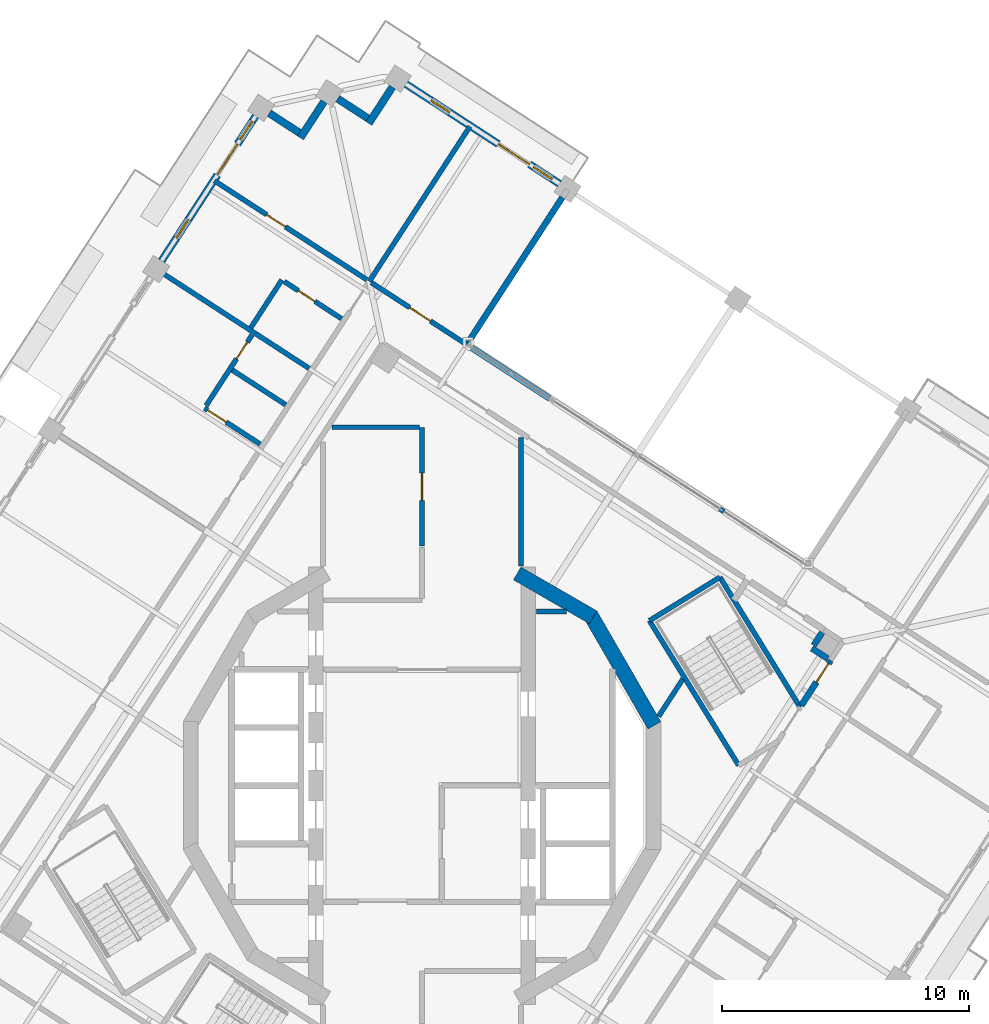
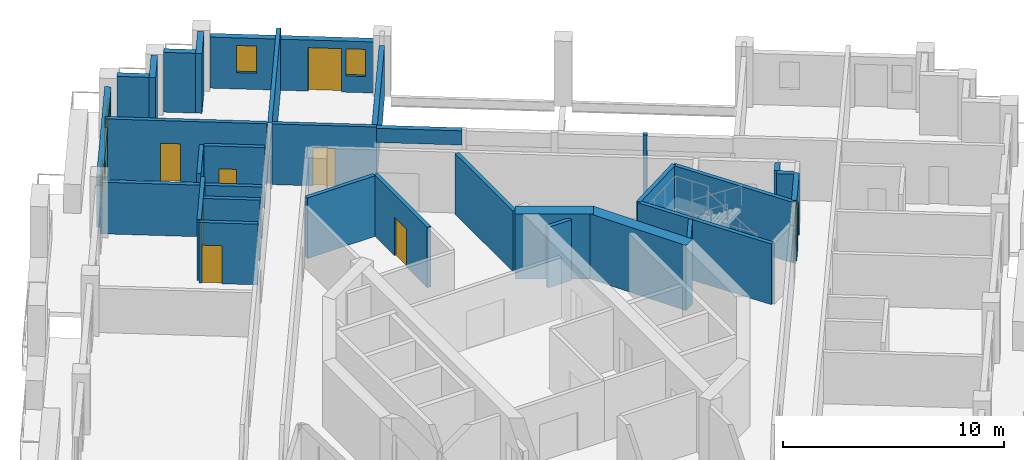
# One storey, part 10 of 17: 31 walls, 9 doors, 4 windows, 13 openings.
"""IFC4 building model written with IfcOpenShell, lengths in metres."""

from ifc_helpers import new_model, si_unit, direction, frame, frame_2d, origin, place, context, subcontext, project, spatial, rectangle, extrude, material, layer, layer_set, type_object, element, fill, save


model = new_model("IFC4")

# Units and contexts
model_context = context("Model", 3, precision=1e-05, world=origin(), true_north=direction((0.0, 1.0)))
body_context = subcontext(model_context, "Body", "Model", "MODEL_VIEW")
ifc_project = project(units=[si_unit("LENGTHUNIT", "METRE"), si_unit("AREAUNIT", "SQUARE_METRE"), si_unit("VOLUMEUNIT", "CUBIC_METRE"), si_unit("PLANEANGLEUNIT", "RADIAN"), si_unit("MASSUNIT", "GRAM", prefix="KILO")], contexts=[model_context])

# Site, building, storey
site_placement = place(None, origin())
site = spatial("IfcSite", under=ifc_project, at=site_placement, CompositionType="ELEMENT")
building_placement = place(site_placement, origin())
building = spatial("IfcBuilding", under=site, at=building_placement, Name="Cantera Rosa Tower", CompositionType="ELEMENT")
storey_placement = place(building_placement, frame((0.0, 0.0, 279.300048828125)))
storey = spatial("IfcBuildingStorey", under=building, at=storey_placement, Name="L63", CompositionType="ELEMENT", Elevation=279.300048828125)

# Wall, opening, door
ifc_material_1 = material(Name="Gypsum board partition")
ifc_layer_1 = layer(ifc_material_1, 0.199951171875)
ifc_layer_set_1 = layer_set([ifc_layer_1], Name="CORRIDOR WALL 200 H3350")
wall_type_1 = type_object("IfcWallType", Name="CORRIDOR WALL 200 H3350", PredefinedType="PARTITIONING", material=ifc_layer_set_1)
wall_1_placement = place(storey_placement, frame((0.0, 9.689208984375, 0.0), z_axis=(0.0, 0.0, 1.0), x_axis=(0.0, 1.0, 0.0)))
wall_1 = element("IfcWall", 1, at=wall_1_placement, inside=storey, type_object=wall_type_1, Name="CORRIDOR WALL L63-058", PredefinedType="PARTITIONING", context=body_context, shape_type="SweptSolid", body=[
    extrude(rectangle(XDim=4.810791015625, YDim=0.199951171875, at=frame_2d((2.4052734375, 0.0))), origin(), (0.0, 0.0, 1.0), 3.349853515625),
])
opening_1_placement = place(wall_1_placement, frame((1.85546875, 0.0, 0.0)))
opening_1 = element("IfcOpeningElement", 2, at=opening_1_placement, cuts=wall_1, Name="Opening L63-013", PredefinedType="OPENING", context=body_context, shape_type="SweptSolid", body=[
    extrude(rectangle(XDim=1.10009765625, YDim=2.10009765625, at=frame_2d((0.550048828125, 1.050048828125))), frame((0.0, 0.10986328125, 0.0), z_axis=(0.0, -1.0, 0.0), x_axis=(1.0, 0.0, 0.0)), (0.0, 0.0, 1.0), 0.219970703125),
])
ifc_material_2 = material(Name="Timber door leaf", Category="wood")
door_type_1 = type_object("IfcDoorType", Name="ROOM DOOR 1100x2100", OperationType="NOTDEFINED", PredefinedType="DOOR", material=ifc_material_2)
door_1_placement = place(opening_1_placement, origin())
door_1 = element("IfcDoor", 3, at=door_1_placement, inside=storey, type_object=door_type_1, Name="DOOR L63-013", OperationType="NOTDEFINED", OverallHeight=2.10009765625, OverallWidth=1.10009765625, PredefinedType="DOOR", context=body_context, shape_type="SweptSolid", body=[
    extrude(rectangle(XDim=1.10009765625, YDim=2.10009765625, at=frame_2d((0.550048828125, 1.050048828125))), frame((0.0, 0.02490234375, 0.0), z_axis=(0.0, -1.0, 0.0), x_axis=(1.0, 0.0, 0.0)), (0.0, 0.0, 1.0), 0.050048828125),
])
fill(opening_1, door_1)

# Walls
wall_2_placement = place(storey_placement, frame((-0.10009765625, 14.5, 0.0), z_axis=(0.0, 0.0, 1.0), x_axis=(-1.0, 0.0, 0.0)))
element("IfcWall", 4, at=wall_2_placement, inside=storey, type_object=wall_type_1, Name="CORRIDOR WALL L63-059", PredefinedType="PARTITIONING", context=body_context, shape_type="SweptSolid", body=[
    extrude(rectangle(XDim=3.538818359375, YDim=0.199951171875, at=frame_2d((1.76953125, 0.0))), origin(), (0.0, 0.0, 1.0), 3.349853515625),
])
wall_3_placement = place(storey_placement, frame((4.0, 8.87890625, 0.0), z_axis=(0.0, 0.0, 1.0), x_axis=(0.0, 1.0, 0.0)))
element("IfcWall", 5, at=wall_3_placement, inside=storey, type_object=wall_type_1, Name="CORRIDOR WALL L63-069", PredefinedType="PARTITIONING", context=body_context, shape_type="SweptSolid", body=[
    extrude(rectangle(XDim=5.21533203125, YDim=0.199951171875, at=frame_2d((2.607666015625, 0.0))), origin(), (0.0, 0.0, 1.0), 3.349853515625),
])
wall_4_placement = place(storey_placement, frame((12.206787109375, 11.0908203125, 0.0), z_axis=(0.0, 0.0, 1.0), x_axis=(-0.838386090036, 0.545076842321, 0.0)))
element("IfcWall", 6, at=wall_4_placement, inside=storey, type_object=wall_type_1, Name="CORRIDOR WALL L63-104", PredefinedType="PARTITIONING", context=body_context, shape_type="SweptSolid", body=[
    extrude(rectangle(XDim=0.19384765625, YDim=0.199951171875, at=frame_2d((0.096923828125, 0.0))), origin(), (0.0, 0.0, 1.0), 3.349853515625),
])

# Wall, opening, door
wall_5_placement = place(storey_placement, frame((1.914794921875, 17.77490234375, 0.0), z_axis=(0.0, 0.0, 1.0), x_axis=(-0.838698511903, 0.544596002677, 0.0)))
wall_5 = element("IfcWall", 7, at=wall_5_placement, inside=storey, type_object=wall_type_1, Name="CORRIDOR WALL L63-107", PredefinedType="PARTITIONING", context=body_context, shape_type="SweptSolid", body=[
    extrude(rectangle(XDim=4.72509765625, YDim=0.199951171875, at=frame_2d((2.362548828125, 0.0))), origin(), (0.0, 0.0, 1.0), 3.349853515625),
])
opening_2_placement = place(wall_5_placement, frame((1.875, 0.0, 0.0)))
opening_2 = element("IfcOpeningElement", 8, at=opening_2_placement, cuts=wall_5, Name="Opening L63-021", PredefinedType="OPENING", context=body_context, shape_type="SweptSolid", body=[
    extrude(rectangle(XDim=1.0, YDim=2.10009765625, at=frame_2d((0.5, 1.050048828125))), frame((0.0, 0.10986328125, 0.0), z_axis=(0.0, -1.0, 0.0), x_axis=(1.0, 0.0, 0.0)), (0.0, 0.0, 1.0), 0.219970703125),
])
ifc_material_3 = material(Name="Timber door leaf", Category="wood")
door_type_2 = type_object("IfcDoorType", Name="ROOM DOOR 1000x2100", OperationType="NOTDEFINED", PredefinedType="DOOR", material=ifc_material_3)
door_2_placement = place(opening_2_placement, origin())
door_2 = element("IfcDoor", 9, at=door_2_placement, inside=storey, type_object=door_type_2, Name="DOOR L63-021", OperationType="NOTDEFINED", OverallHeight=2.10009765625, OverallWidth=1.0, PredefinedType="DOOR", context=body_context, shape_type="SweptSolid", body=[
    extrude(rectangle(XDim=1.0, YDim=2.10009765625, at=frame_2d((0.5, 1.050048828125))), frame((0.0, 0.02490234375, 0.0), z_axis=(0.0, -1.0, 0.0), x_axis=(1.0, 0.0, 0.0)), (0.0, 0.0, 1.0), 0.050048828125),
])
fill(opening_2, door_2)

# Walls
ifc_material_4 = material(Name="Hollow clay masonry with cantera stone cladding", Category="masonry")
ifc_layer_2 = layer(ifc_material_4, 0.300048828125)
ifc_layer_set_2 = layer_set([ifc_layer_2], Name="EW-LOGGIA 300")
wall_type_2 = type_object("IfcWallType", Name="EW-LOGGIA 300", PredefinedType="SOLIDWALL", material=ifc_layer_set_2)
wall_6_placement = place(storey_placement, frame((-1.2001953125, 28.263427734375, 0.0), z_axis=(0.0, 0.0, 1.0), x_axis=(-0.54461563776, -0.838685761837, 0.0)))
element("IfcWall", 10, at=wall_6_placement, inside=storey, type_object=wall_type_2, Name="EN-L63-W05a", PredefinedType="SOLIDWALL", context=body_context, shape_type="SweptSolid", body=[
    extrude(rectangle(XDim=1.75, YDim=0.300048828125, at=frame_2d((0.875, 0.0))), origin(), (0.0, 0.0, 1.0), 3.300048828125),
])
wall_7_placement = place(storey_placement, frame((-2.197509765625, 27.003173828125, 0.0), z_axis=(0.0, 0.0, 1.0), x_axis=(-0.838647435384, 0.54467465438, 0.0)))
element("IfcWall", 11, at=wall_7_placement, inside=storey, type_object=wall_type_2, Name="EN-L63-W05b", PredefinedType="SOLIDWALL", context=body_context, shape_type="SweptSolid", body=[
    extrude(rectangle(XDim=1.449951171875, YDim=0.300048828125, at=frame_2d((0.72509765625, 0.0))), origin(), (0.0, 0.0, 1.0), 3.300048828125),
])
wall_8_placement = place(storey_placement, frame((-3.966796875, 27.67529296875, 0.0), z_axis=(0.0, 0.0, 1.0), x_axis=(-0.544679362749, -0.83864437743, 0.0)))
element("IfcWall", 12, at=wall_8_placement, inside=storey, type_object=wall_type_2, Name="EN-L63-W06a", PredefinedType="SOLIDWALL", context=body_context, shape_type="SweptSolid", body=[
    extrude(rectangle(XDim=1.75, YDim=0.300048828125, at=frame_2d((0.875, 0.0))), origin(), (0.0, 0.0, 1.0), 3.300048828125),
])
wall_9_placement = place(storey_placement, frame((-4.964111328125, 26.415283203125, 0.0), z_axis=(0.0, 0.0, 1.0), x_axis=(-0.838724343483, 0.544556218997, 0.0)))
element("IfcWall", 13, at=wall_9_placement, inside=storey, type_object=wall_type_2, Name="EN-L63-W06b", PredefinedType="SOLIDWALL", context=body_context, shape_type="SweptSolid", body=[
    extrude(rectangle(XDim=1.449951171875, YDim=0.300048828125, at=frame_2d((0.72509765625, 0.0))), origin(), (0.0, 0.0, 1.0), 3.300048828125),
])

# Wall, openings, windows, door
ifc_material_5 = material(Name="Hollow clay masonry with cantera stone cladding", Category="masonry")
ifc_layer_3 = layer(ifc_material_5, 0.300048828125)
ifc_layer_set_3 = layer_set([ifc_layer_3], Name="EW-LOGGIA 300 H2820")
wall_type_3 = type_object("IfcWallType", Name="EW-LOGGIA 300 H2820", PredefinedType="SOLIDWALL", material=ifc_layer_set_3)
wall_10_placement = place(storey_placement, frame((5.559326171875, 24.350830078125, 0.0), z_axis=(0.0, 0.0, 1.0), x_axis=(-0.838679465365, 0.544625333946, 0.0)))
wall_10 = element("IfcWall", 14, at=wall_10_placement, inside=storey, type_object=wall_type_3, Name="EN-L63-W04", PredefinedType="SOLIDWALL", context=body_context, shape_type="SweptSolid", body=[
    extrude(rectangle(XDim=7.400146484375, YDim=0.300048828125, at=frame_2d((3.7001953125, 0.0))), origin(), (0.0, 0.0, 1.0), 2.820068359375),
])
opening_3_placement = place(wall_10_placement, frame((0.35009765625, 0.0, 0.89990234375)))
opening_3 = element("IfcOpeningElement", 15, at=opening_3_placement, cuts=wall_10, Name="Opening L63-W04", PredefinedType="OPENING", context=body_context, shape_type="SweptSolid", body=[
    extrude(rectangle(XDim=0.89990234375, YDim=1.5, at=frame_2d((0.449951171875, 0.75))), frame((0.0, 0.159912109375, 0.0), z_axis=(0.0, -1.0, 0.0), x_axis=(1.0, 0.0, 0.0)), (0.0, 0.0, 1.0), 0.320068359375),
])
opening_4_placement = place(wall_10_placement, frame((1.449951171875, 0.0, 0.0)))
opening_4 = element("IfcOpeningElement", 16, at=opening_4_placement, cuts=wall_10, Name="Opening L63-TD05", PredefinedType="OPENING", context=body_context, shape_type="SweptSolid", body=[
    extrude(rectangle(XDim=1.5, YDim=2.39990234375, at=frame_2d((0.75, 1.199951171875))), frame((0.0, 0.159912109375, 0.0), z_axis=(0.0, -1.0, 0.0), x_axis=(1.0, 0.0, 0.0)), (0.0, 0.0, 1.0), 0.320068359375),
])
opening_5_placement = place(wall_10_placement, frame((5.300048828125, 0.0, 0.89990234375)))
opening_5 = element("IfcOpeningElement", 17, at=opening_5_placement, cuts=wall_10, Name="Opening L63-W06", PredefinedType="OPENING", context=body_context, shape_type="SweptSolid", body=[
    extrude(rectangle(XDim=0.89990234375, YDim=1.5, at=frame_2d((0.449951171875, 0.75))), frame((0.0, 0.159912109375, 0.0), z_axis=(0.0, -1.0, 0.0), x_axis=(1.0, 0.0, 0.0)), (0.0, 0.0, 1.0), 0.320068359375),
])
ifc_material_6 = material(Name="Aluminium frame with clear glass", Category="aluminium")
window_type = type_object("IfcWindowType", Name="Residential window 900x1500", PartitioningType="SINGLE_PANEL", PredefinedType="WINDOW", material=ifc_material_6)
window_1_placement = place(opening_3_placement, origin())
window_1 = element("IfcWindow", 18, at=window_1_placement, inside=storey, type_object=window_type, Name="WINDOW L63-W04", OverallHeight=1.5, OverallWidth=0.89990234375, PartitioningType="SINGLE_PANEL", PredefinedType="WINDOW", context=body_context, shape_type="SweptSolid", body=[
    extrude(rectangle(XDim=0.89990234375, YDim=1.5, at=frame_2d((0.449951171875, 0.75))), frame((0.0, 0.030029296875, 0.0), z_axis=(0.0, -1.0, 0.0), x_axis=(1.0, 0.0, 0.0)), (0.0, 0.0, 1.0), 0.06005859375),
])
fill(opening_3, window_1)
window_2_placement = place(opening_5_placement, origin())
window_2 = element("IfcWindow", 19, at=window_2_placement, inside=storey, type_object=window_type, Name="WINDOW L63-W06", OverallHeight=1.5, OverallWidth=0.89990234375, PartitioningType="SINGLE_PANEL", PredefinedType="WINDOW", context=body_context, shape_type="SweptSolid", body=[
    extrude(rectangle(XDim=0.89990234375, YDim=1.5, at=frame_2d((0.449951171875, 0.75))), frame((0.0, 0.030029296875, 0.0), z_axis=(0.0, -1.0, 0.0), x_axis=(1.0, 0.0, 0.0)), (0.0, 0.0, 1.0), 0.06005859375),
])
fill(opening_5, window_2)
ifc_material_7 = material(Name="Aluminium frame with clear glass", Category="aluminium")
door_type_3 = type_object("IfcDoorType", Name="TD-R 1500x2400", OperationType="NOTDEFINED", PredefinedType="DOOR", material=ifc_material_7)
door_3_placement = place(opening_4_placement, origin())
door_3 = element("IfcDoor", 20, at=door_3_placement, inside=storey, type_object=door_type_3, Name="LOGGIA DOOR L63-TD05", OperationType="SLIDING_TO_LEFT", OverallHeight=2.39990234375, OverallWidth=1.5, PredefinedType="DOOR", context=body_context, shape_type="SweptSolid", body=[
    extrude(rectangle(XDim=1.5, YDim=2.39990234375, at=frame_2d((0.75, 1.199951171875))), frame((0.0, 0.02490234375, 0.0), z_axis=(0.0, -1.0, 0.0), x_axis=(1.0, 0.0, 0.0)), (0.0, 0.0, 1.0), 0.050048828125),
])
fill(opening_4, door_3)

ifc_material_8 = material(Name="Hollow clay masonry with cantera stone cladding", Category="masonry")
ifc_layer_4 = layer(ifc_material_8, 0.300048828125)
ifc_layer_set_4 = layer_set([ifc_layer_4], Name="EW-LOGGIA 300 H2890")
wall_type_4 = type_object("IfcWallType", Name="EW-LOGGIA 300 H2890", PredefinedType="SOLIDWALL", material=ifc_layer_set_4)
wall_11_placement = place(storey_placement, frame((-6.7333984375, 27.08740234375, 0.0), z_axis=(0.0, 0.0, 1.0), x_axis=(-0.544651451949, -0.838662504164, 0.0)))
wall_11 = element("IfcWall", 21, at=wall_11_placement, inside=storey, type_object=wall_type_4, Name="EN-L63-W07", PredefinedType="SOLIDWALL", context=body_context, shape_type="SweptSolid", body=[
    extrude(rectangle(XDim=6.980224609375, YDim=0.300048828125, at=frame_2d((3.490234375, 0.0))), origin(), (0.0, 0.0, 1.0), 2.889892578125),
])
opening_6_placement = place(wall_11_placement, frame((0.2451171875, 0.0, 0.89990234375)))
opening_6 = element("IfcOpeningElement", 22, at=opening_6_placement, cuts=wall_11, Name="Opening L63-W07", PredefinedType="OPENING", context=body_context, shape_type="SweptSolid", body=[
    extrude(rectangle(XDim=0.89990234375, YDim=1.5, at=frame_2d((0.449951171875, 0.75))), frame((0.0, 0.159912109375, 0.0), z_axis=(0.0, -1.0, 0.0), x_axis=(1.0, 0.0, 0.0)), (0.0, 0.0, 1.0), 0.320068359375),
])
opening_7_placement = place(wall_11_placement, frame((1.344970703125, 0.0, 0.0)))
opening_7 = element("IfcOpeningElement", 23, at=opening_7_placement, cuts=wall_11, Name="Opening L63-TD08", PredefinedType="OPENING", context=body_context, shape_type="SweptSolid", body=[
    extrude(rectangle(XDim=1.5, YDim=2.39990234375, at=frame_2d((0.75, 1.199951171875))), frame((0.0, 0.159912109375, 0.0), z_axis=(0.0, -1.0, 0.0), x_axis=(1.0, 0.0, 0.0)), (0.0, 0.0, 1.0), 0.320068359375),
])
opening_8_placement = place(wall_11_placement, frame((4.985107421875, 0.0, 0.89990234375)))
opening_8 = element("IfcOpeningElement", 24, at=opening_8_placement, cuts=wall_11, Name="Opening L63-W09", PredefinedType="OPENING", context=body_context, shape_type="SweptSolid", body=[
    extrude(rectangle(XDim=0.89990234375, YDim=1.5, at=frame_2d((0.449951171875, 0.75))), frame((0.0, 0.159912109375, 0.0), z_axis=(0.0, -1.0, 0.0), x_axis=(1.0, 0.0, 0.0)), (0.0, 0.0, 1.0), 0.320068359375),
])
window_3_placement = place(opening_6_placement, origin())
window_3 = element("IfcWindow", 25, at=window_3_placement, inside=storey, type_object=window_type, Name="WINDOW L63-W07", OverallHeight=1.5, OverallWidth=0.89990234375, PartitioningType="SINGLE_PANEL", PredefinedType="WINDOW", context=body_context, shape_type="SweptSolid", body=[
    extrude(rectangle(XDim=0.89990234375, YDim=1.5, at=frame_2d((0.449951171875, 0.75))), frame((0.0, 0.030029296875, 0.0), z_axis=(0.0, -1.0, 0.0), x_axis=(1.0, 0.0, 0.0)), (0.0, 0.0, 1.0), 0.06005859375),
])
fill(opening_6, window_3)
window_4_placement = place(opening_8_placement, origin())
window_4 = element("IfcWindow", 26, at=window_4_placement, inside=storey, type_object=window_type, Name="WINDOW L63-W09", OverallHeight=1.5, OverallWidth=0.89990234375, PartitioningType="SINGLE_PANEL", PredefinedType="WINDOW", context=body_context, shape_type="SweptSolid", body=[
    extrude(rectangle(XDim=0.89990234375, YDim=1.5, at=frame_2d((0.449951171875, 0.75))), frame((0.0, 0.030029296875, 0.0), z_axis=(0.0, -1.0, 0.0), x_axis=(1.0, 0.0, 0.0)), (0.0, 0.0, 1.0), 0.06005859375),
])
fill(opening_8, window_4)
door_4_placement = place(opening_7_placement, origin())
door_4 = element("IfcDoor", 27, at=door_4_placement, inside=storey, type_object=door_type_3, Name="LOGGIA DOOR L63-TD08", OperationType="SLIDING_TO_LEFT", OverallHeight=2.39990234375, OverallWidth=1.5, PredefinedType="DOOR", context=body_context, shape_type="SweptSolid", body=[
    extrude(rectangle(XDim=1.5, YDim=2.39990234375, at=frame_2d((0.75, 1.199951171875))), frame((0.0, 0.02490234375, 0.0), z_axis=(0.0, -1.0, 0.0), x_axis=(1.0, 0.0, 0.0)), (0.0, 0.0, 1.0), 0.050048828125),
])
fill(opening_7, door_4)

# Walls
ifc_material_9 = material(Name="Concrete C40/50", Category="concrete")
ifc_layer_5 = layer(ifc_material_9, 0.25)
ifc_layer_set_5 = layer_set([ifc_layer_5], Name="EW-POCKET CHEEK 250 H2820")
wall_type_5 = type_object("IfcWallType", Name="EW-POCKET CHEEK 250 H2820", PredefinedType="SOLIDWALL", material=ifc_layer_set_5)
wall_12_placement = place(storey_placement, frame((5.6767578125, 23.79736328125, 0.0), z_axis=(0.0, 0.0, 1.0), x_axis=(-0.544647498784, -0.838665071449, 0.0)))
element("IfcWall", 28, at=wall_12_placement, inside=storey, type_object=wall_type_5, Name="POCKET CHEEK B L63", PredefinedType="SOLIDWALL", context=body_context, shape_type="SweptSolid", body=[
    extrude(rectangle(XDim=7.0, YDim=0.25, at=frame_2d((3.5, 0.0))), origin(), (0.0, 0.0, 1.0), 2.820068359375),
])
ifc_material_10 = material(Name="Hollow clay masonry with cantera stone cladding", Category="masonry")
ifc_layer_6 = layer(ifc_material_10, 0.25)
ifc_layer_set_6 = layer_set([ifc_layer_6], Name="EW-POCKET REAR 250")
wall_type_6 = type_object("IfcWallType", Name="EW-POCKET REAR 250", PredefinedType="SOLIDWALL", material=ifc_layer_set_6)
wall_13_placement = place(storey_placement, frame((5.1669921875, 15.66259765625, 2.515869140625), z_axis=(0.0, 0.0, 1.0), x_axis=(-0.838663624349, 0.544649727066, 0.0)))
element("IfcWall", 29, at=wall_13_placement, inside=storey, type_object=wall_type_6, Name="POCKET SPANDREL L63-4", PredefinedType="SOLIDWALL", context=body_context, shape_type="SweptSolid", body=[
    extrude(rectangle(XDim=3.8779296875, YDim=0.25, at=frame_2d((1.93896484375, 0.0))), origin(), (0.0, 0.0, 1.0), 0.7841796875),
])

# Wall, opening, door
ifc_material_11 = material(Name="Gypsum board partition")
ifc_layer_7 = layer(ifc_material_11, 0.199951171875)
ifc_layer_set_7 = layer_set([ifc_layer_7], Name="PARTITION 200 H3350")
wall_type_7 = type_object("IfcWallType", Name="PARTITION 200 H3350", PredefinedType="PARTITIONING", material=ifc_layer_set_7)
wall_14_placement = place(storey_placement, frame((-8.73388671875, 15.377685546875, 0.0), z_axis=(0.0, 0.0, 1.0), x_axis=(0.544681306178, 0.838643115217, 0.0)))
wall_14 = element("IfcWall", 30, at=wall_14_placement, inside=storey, type_object=wall_type_7, Name="PARTITION L63-022", PredefinedType="PARTITIONING", context=body_context, shape_type="SweptSolid", body=[
    extrude(rectangle(XDim=3.41015625, YDim=0.199951171875, at=frame_2d((1.705078125, 0.0))), origin(), (0.0, 0.0, 1.0), 3.349853515625),
])
opening_9_placement = place(wall_14_placement, frame((2.2548828125, 0.0, 0.0)))
opening_9 = element("IfcOpeningElement", 31, at=opening_9_placement, cuts=wall_14, Name="Opening L63-024", PredefinedType="OPENING", context=body_context, shape_type="SweptSolid", body=[
    extrude(rectangle(XDim=0.800048828125, YDim=2.10009765625, at=frame_2d((0.39990234375, 1.050048828125))), frame((0.0, 0.10986328125, 0.0), z_axis=(0.0, -1.0, 0.0), x_axis=(1.0, 0.0, 0.0)), (0.0, 0.0, 1.0), 0.219970703125),
])
ifc_material_12 = material(Name="Timber door leaf", Category="wood")
door_type_4 = type_object("IfcDoorType", Name="BATHROOM DOOR 800x2100", OperationType="NOTDEFINED", PredefinedType="DOOR", material=ifc_material_12)
door_5_placement = place(opening_9_placement, origin())
door_5 = element("IfcDoor", 32, at=door_5_placement, inside=storey, type_object=door_type_4, Name="DOOR L63-024", OperationType="NOTDEFINED", OverallHeight=2.10009765625, OverallWidth=0.800048828125, PredefinedType="DOOR", context=body_context, shape_type="SweptSolid", body=[
    extrude(rectangle(XDim=0.800048828125, YDim=2.10009765625, at=frame_2d((0.39990234375, 1.050048828125))), frame((0.0, 0.02490234375, 0.0), z_axis=(0.0, -1.0, 0.0), x_axis=(1.0, 0.0, 0.0)), (0.0, 0.0, 1.0), 0.050048828125),
])
fill(opening_9, door_5)

# Wall
wall_15_placement = place(storey_placement, frame((-6.924560546875, 18.531005859375, 0.0), z_axis=(0.0, 0.0, 1.0), x_axis=(0.544641320086, 0.838669083999, 0.0)))
element("IfcWall", 33, at=wall_15_placement, inside=storey, type_object=wall_type_7, Name="PARTITION L63-032", PredefinedType="PARTITIONING", context=body_context, shape_type="SweptSolid", body=[
    extrude(rectangle(XDim=2.300048828125, YDim=0.199951171875, at=frame_2d((1.14990234375, 0.0))), origin(), (0.0, 0.0, 1.0), 3.349853515625),
])

# Wall, opening, door
wall_16_placement = place(storey_placement, frame((-6.551513671875, 13.8173828125, 0.0), z_axis=(0.0, 0.0, 1.0), x_axis=(-0.838647527281, 0.544674512884, 0.0)))
wall_16 = element("IfcWall", 34, at=wall_16_placement, inside=storey, type_object=wall_type_7, Name="PARTITION L63-033", PredefinedType="PARTITIONING", context=body_context, shape_type="SweptSolid", body=[
    extrude(rectangle(XDim=2.679931640625, YDim=0.199951171875, at=frame_2d((1.33984375, 0.0))), origin(), (0.0, 0.0, 1.0), 3.349853515625),
])
opening_10_placement = place(wall_16_placement, frame((1.6298828125, 0.0, 0.0)))
opening_10 = element("IfcOpeningElement", 35, at=opening_10_placement, cuts=wall_16, Name="Opening L63-025", PredefinedType="OPENING", context=body_context, shape_type="SweptSolid", body=[
    extrude(rectangle(XDim=0.89990234375, YDim=2.10009765625, at=frame_2d((0.449951171875, 1.050048828125))), frame((0.0, 0.10986328125, 0.0), z_axis=(0.0, -1.0, 0.0), x_axis=(1.0, 0.0, 0.0)), (0.0, 0.0, 1.0), 0.219970703125),
])
ifc_material_13 = material(Name="Timber door leaf", Category="wood")
door_type_5 = type_object("IfcDoorType", Name="ROOM DOOR 900x2100", OperationType="NOTDEFINED", PredefinedType="DOOR", material=ifc_material_13)
door_6_placement = place(opening_10_placement, origin())
door_6 = element("IfcDoor", 36, at=door_6_placement, inside=storey, type_object=door_type_5, Name="DOOR L63-025", OperationType="NOTDEFINED", OverallHeight=2.10009765625, OverallWidth=0.89990234375, PredefinedType="DOOR", context=body_context, shape_type="SweptSolid", body=[
    extrude(rectangle(XDim=0.89990234375, YDim=2.10009765625, at=frame_2d((0.449951171875, 1.050048828125))), frame((0.0, 0.02490234375, 0.0), z_axis=(0.0, -1.0, 0.0), x_axis=(1.0, 0.0, 0.0)), (0.0, 0.0, 1.0), 0.050048828125),
])
fill(opening_10, door_6)

wall_17_placement = place(storey_placement, frame((-5.5712890625, 20.39453125, 0.0), z_axis=(0.0, 0.0, 1.0), x_axis=(0.838698153496, -0.544596554637, 0.0)))
wall_17 = element("IfcWall", 37, at=wall_17_placement, inside=storey, type_object=wall_type_7, Name="PARTITION L63-036", PredefinedType="PARTITIONING", context=body_context, shape_type="SweptSolid", body=[
    extrude(rectangle(XDim=2.76025390625, YDim=0.199951171875, at=frame_2d((1.380126953125, 0.0))), origin(), (0.0, 0.0, 1.0), 3.349853515625),
])
opening_11_placement = place(wall_17_placement, frame((0.679931640625, 0.0, 0.0)))
opening_11 = element("IfcOpeningElement", 38, at=opening_11_placement, cuts=wall_17, Name="Opening L63-027", PredefinedType="OPENING", context=body_context, shape_type="SweptSolid", body=[
    extrude(rectangle(XDim=0.800048828125, YDim=2.10009765625, at=frame_2d((0.39990234375, 1.050048828125))), frame((0.0, 0.10986328125, 0.0), z_axis=(0.0, -1.0, 0.0), x_axis=(1.0, 0.0, 0.0)), (0.0, 0.0, 1.0), 0.219970703125),
])
door_7_placement = place(opening_11_placement, origin())
door_7 = element("IfcDoor", 39, at=door_7_placement, inside=storey, type_object=door_type_4, Name="DOOR L63-027", OperationType="NOTDEFINED", OverallHeight=2.10009765625, OverallWidth=0.800048828125, PredefinedType="DOOR", context=body_context, shape_type="SweptSolid", body=[
    extrude(rectangle(XDim=0.800048828125, YDim=2.10009765625, at=frame_2d((0.39990234375, 1.050048828125))), frame((0.0, 0.02490234375, 0.0), z_axis=(0.0, -1.0, 0.0), x_axis=(1.0, 0.0, 0.0)), (0.0, 0.0, 1.0), 0.050048828125),
])
fill(opening_11, door_7)

# Wall
wall_18_placement = place(storey_placement, frame((-5.5166015625, 15.410888671875, 0.0), z_axis=(0.0, 0.0, 1.0), x_axis=(-0.838700801883, 0.544592476005, 0.0)))
element("IfcWall", 40, at=wall_18_placement, inside=storey, type_object=wall_type_7, Name="PARTITION L63-037", PredefinedType="PARTITIONING", context=body_context, shape_type="SweptSolid", body=[
    extrude(rectangle(XDim=2.580078125, YDim=0.199951171875, at=frame_2d((1.2900390625, 0.0))), origin(), (0.0, 0.0, 1.0), 3.349853515625),
])

# Wall, opening, door
wall_19_placement = place(storey_placement, frame((-2.232421875, 20.468017578125, 0.0), z_axis=(0.0, 0.0, 1.0), x_axis=(-0.838668934217, 0.544641550729, 0.0)))
wall_19 = element("IfcWall", 41, at=wall_19_placement, inside=storey, type_object=wall_type_7, Name="PARTITION L63-050", PredefinedType="PARTITIONING", context=body_context, shape_type="SweptSolid", body=[
    extrude(rectangle(XDim=7.35009765625, YDim=0.199951171875, at=frame_2d((3.675048828125, 0.0))), origin(), (0.0, 0.0, 1.0), 3.349853515625),
])
opening_12_placement = place(wall_19_placement, frame((3.929931640625, 0.0, 0.0)))
opening_12 = element("IfcOpeningElement", 42, at=opening_12_placement, cuts=wall_19, Name="Opening L63-028", PredefinedType="OPENING", context=body_context, shape_type="SweptSolid", body=[
    extrude(rectangle(XDim=0.89990234375, YDim=2.10009765625, at=frame_2d((0.449951171875, 1.050048828125))), frame((0.0, 0.10986328125, 0.0), z_axis=(0.0, -1.0, 0.0), x_axis=(1.0, 0.0, 0.0)), (0.0, 0.0, 1.0), 0.219970703125),
])
door_8_placement = place(opening_12_placement, origin())
door_8 = element("IfcDoor", 43, at=door_8_placement, inside=storey, type_object=door_type_5, Name="DOOR L63-028", OperationType="NOTDEFINED", OverallHeight=2.10009765625, OverallWidth=0.89990234375, PredefinedType="DOOR", context=body_context, shape_type="SweptSolid", body=[
    extrude(rectangle(XDim=0.89990234375, YDim=2.10009765625, at=frame_2d((0.449951171875, 1.050048828125))), frame((0.0, 0.02490234375, 0.0), z_axis=(0.0, -1.0, 0.0), x_axis=(1.0, 0.0, 0.0)), (0.0, 0.0, 1.0), 0.050048828125),
])
fill(opening_12, door_8)

# Walls
wall_20_placement = place(storey_placement, frame((4.6298828125, 7.050048828125, 0.0), z_axis=(0.0, 0.0, 1.0), x_axis=(1.0, 0.0, 0.0)))
element("IfcWall", 44, at=wall_20_placement, inside=storey, type_object=wall_type_7, Name="PARTITION L63-071", PredefinedType="PARTITIONING", context=body_context, shape_type="SweptSolid", body=[
    extrude(rectangle(XDim=1.2177734375, YDim=0.199951171875, at=frame_2d((0.60888671875, 0.0))), origin(), (0.0, 0.0, 1.0), 3.349853515625),
])
wall_21_placement = place(storey_placement, frame((9.5703125, 2.802490234375, 0.0), z_axis=(0.0, 0.0, 1.0), x_axis=(0.544578176642, 0.838710086696, 0.0)))
element("IfcWall", 45, at=wall_21_placement, inside=storey, type_object=wall_type_7, Name="PARTITION L63-081", PredefinedType="PARTITIONING", context=body_context, shape_type="SweptSolid", body=[
    extrude(rectangle(XDim=1.799560546875, YDim=0.199951171875, at=frame_2d((0.89990234375, 0.0))), origin(), (0.0, 0.0, 1.0), 3.349853515625),
])
ifc_material_14 = material(Name="Gypsum board partition")
ifc_layer_8 = layer(ifc_material_14, 0.199951171875)
ifc_layer_set_8 = layer_set([ifc_layer_8], Name="PARTY WALL 200 H2850")
wall_type_8 = type_object("IfcWallType", Name="PARTY WALL 200 H2850", PredefinedType="PARTITIONING", material=ifc_layer_set_8)
wall_22_placement = place(storey_placement, frame((-10.727783203125, 20.881591796875, 0.0), z_axis=(0.0, 0.0, 1.0), x_axis=(0.838659080818, -0.544656723232, 0.0)))
element("IfcWall", 46, at=wall_22_placement, inside=storey, type_object=wall_type_8, Name="PARTY WALL L63-015", PredefinedType="PARTITIONING", context=body_context, shape_type="SweptSolid", body=[
    extrude(rectangle(XDim=7.349853515625, YDim=0.199951171875, at=frame_2d((3.6748046875, 0.0))), origin(), (0.0, 0.0, 1.0), 2.849853515625),
])
ifc_material_15 = material(Name="Gypsum board partition")
ifc_layer_9 = layer(ifc_material_15, 0.199951171875)
ifc_layer_set_9 = layer_set([ifc_layer_9], Name="PARTY WALL 200 H3350")
wall_type_9 = type_object("IfcWallType", Name="PARTY WALL 200 H3350", PredefinedType="PARTITIONING", material=ifc_layer_set_9)
wall_23_placement = place(storey_placement, frame((-2.1318359375, 20.402587890625, 0.0), z_axis=(0.0, 0.0, 1.0), x_axis=(0.544628730556, 0.838677259649, 0.0)))
element("IfcWall", 47, at=wall_23_placement, inside=storey, type_object=wall_type_9, Name="PARTY WALL L63-051", PredefinedType="PARTITIONING", context=body_context, shape_type="SweptSolid", body=[
    extrude(rectangle(XDim=7.469970703125, YDim=0.199951171875, at=frame_2d((3.73486328125, 0.0))), origin(), (0.0, 0.0, 1.0), 3.349853515625),
])
ifc_material_16 = material(Name="Concrete C50/60", Category="concrete")
ifc_layer_10 = layer(ifc_material_16, 0.60009765625)
ifc_layer_set_10 = layer_set([ifc_layer_10], Name="RC CORE WALL 600 C50/60")
wall_type_10 = type_object("IfcWallType", Name="RC CORE WALL 600 C50/60", PredefinedType="SHEAR", material=ifc_layer_set_10)
wall_24_placement = place(storey_placement, frame((3.85009765625, 8.584228515625, 0.0), z_axis=(0.0, 0.0, 1.0), x_axis=(0.866039982607, -0.499974747889, 0.0)))
element("IfcWall", 48, at=wall_24_placement, inside=storey, type_object=wall_type_10, Name="CW-E1 L63", PredefinedType="SHEAR", context=body_context, shape_type="SweptSolid", body=[
    extrude(rectangle(XDim=3.546142578125, YDim=0.60009765625, at=frame_2d((1.77294921875, 0.0))), origin(), (0.0, 0.0, 1.0), 3.599853515625),
])
wall_25_placement = place(storey_placement, frame((6.811279296875, 6.921142578125, 0.0), z_axis=(0.0, 0.0, 1.0), x_axis=(0.499989188378, -0.866031645787, 0.0)))
element("IfcWall", 49, at=wall_25_placement, inside=storey, type_object=wall_type_10, Name="CW-E2 L63", PredefinedType="SHEAR", context=body_context, shape_type="SweptSolid", body=[
    extrude(rectangle(XDim=5.17626953125, YDim=0.60009765625, at=frame_2d((2.588134765625, 0.0))), origin(), (0.0, 0.0, 1.0), 3.599853515625),
])

# Wall, opening, door
ifc_material_17 = material(Name="Masonry blockwork", Category="masonry")
ifc_layer_11 = layer(ifc_material_17, 0.25)
ifc_layer_set_11 = layer_set([ifc_layer_11], Name="SHAFT WALL 250 H3350")
wall_type_11 = type_object("IfcWallType", Name="SHAFT WALL 250 H3350", PredefinedType="SOLIDWALL", material=ifc_layer_set_11)
wall_26_placement = place(storey_placement, frame((15.3408203125, 3.2421875, 0.0), z_axis=(0.0, 0.0, 1.0), x_axis=(0.5445859656, 0.838705029239, 0.0)))
wall_26 = element("IfcWall", 50, at=wall_26_placement, inside=storey, type_object=wall_type_11, Name="SHAFT WALL L63-094", PredefinedType="SOLIDWALL", context=body_context, shape_type="SweptSolid", body=[
    extrude(rectangle(XDim=2.175537109375, YDim=0.25, at=frame_2d((1.087890625, 0.0))), origin(), (0.0, 0.0, 1.0), 3.349853515625),
])
opening_13_placement = place(wall_26_placement, frame((1.125244140625, 0.0, 0.0)))
opening_13 = element("IfcOpeningElement", 51, at=opening_13_placement, cuts=wall_26, Name="Opening L63-006", PredefinedType="OPENING", context=body_context, shape_type="SweptSolid", body=[
    extrude(rectangle(XDim=0.89990234375, YDim=2.10009765625, at=frame_2d((0.449951171875, 1.050048828125))), frame((0.0, 0.135009765625, 0.0), z_axis=(0.0, -1.0, 0.0), x_axis=(1.0, 0.0, 0.0)), (0.0, 0.0, 1.0), 0.27001953125),
])
ifc_material_18 = material(Name="Timber door leaf", Category="wood")
door_type_6 = type_object("IfcDoorType", Name="SERVICE DOOR 900x2100", OperationType="NOTDEFINED", PredefinedType="DOOR", material=ifc_material_18)
door_9_placement = place(opening_13_placement, origin())
door_9 = element("IfcDoor", 52, at=door_9_placement, inside=storey, type_object=door_type_6, Name="RISER DOOR L63-006", OperationType="NOTDEFINED", OverallHeight=2.10009765625, OverallWidth=0.89990234375, PredefinedType="DOOR", context=body_context, shape_type="SweptSolid", body=[
    extrude(rectangle(XDim=0.89990234375, YDim=2.10009765625, at=frame_2d((0.449951171875, 1.050048828125))), frame((0.0, 0.02490234375, 0.0), z_axis=(0.0, -1.0, 0.0), x_axis=(1.0, 0.0, 0.0)), (0.0, 0.0, 1.0), 0.050048828125),
])
fill(opening_13, door_9)

# Walls
wall_27_placement = place(storey_placement, frame((15.77099609375, 5.55712890625, 0.0), z_axis=(0.0, 0.0, 1.0), x_axis=(0.838517009777, -0.544875420913, 0.0)))
element("IfcWall", 53, at=wall_27_placement, inside=storey, type_object=wall_type_11, Name="SHAFT WALL L63-096", PredefinedType="SOLIDWALL", context=body_context, shape_type="SweptSolid", body=[
    extrude(rectangle(XDim=0.760009765625, YDim=0.25, at=frame_2d((0.3798828125, 0.0))), origin(), (0.0, 0.0, 1.0), 3.349853515625),
])
wall_28_placement = place(storey_placement, frame((16.184814453125, 6.194580078125, 0.0), z_axis=(0.0, 0.0, 1.0), x_axis=(-0.544573068835, -0.838713403195, 0.0)))
element("IfcWall", 54, at=wall_28_placement, inside=storey, type_object=wall_type_11, Name="SHAFT WALL L63-098", PredefinedType="SOLIDWALL", context=body_context, shape_type="SweptSolid", body=[
    extrude(rectangle(XDim=0.6201171875, YDim=0.25, at=frame_2d((0.31005859375, 0.0))), origin(), (0.0, 0.0, 1.0), 3.349853515625),
])
ifc_material_19 = material(Name="Concrete C50/60", Category="concrete")
ifc_layer_12 = layer(ifc_material_19, 0.199951171875)
ifc_layer_set_12 = layer_set([ifc_layer_12], Name="STAIR WALL 200 H3350")
wall_type_12 = type_object("IfcWallType", Name="STAIR WALL 200 H3350", PredefinedType="SOLIDWALL", material=ifc_layer_set_12)
wall_29_placement = place(storey_placement, frame((9.199462890625, 6.674072265625, 0.0), z_axis=(0.0, 0.0, 1.0), x_axis=(0.524972254536, -0.851119340614, 0.0)))
element("IfcWall", 55, at=wall_29_placement, inside=storey, type_object=wall_type_12, Name="STAIR WALL L63-080", PredefinedType="SOLIDWALL", context=body_context, shape_type="SweptSolid", body=[
    extrude(rectangle(XDim=6.880126953125, YDim=0.199951171875, at=frame_2d((3.43994140625, 0.0))), origin(), (0.0, 0.0, 1.0), 3.349853515625),
])
wall_30_placement = place(storey_placement, frame((12.05078125, 8.4326171875, 0.0), z_axis=(0.0, 0.0, 1.0), x_axis=(-0.85113993661, -0.524938861495, 0.0)))
element("IfcWall", 56, at=wall_30_placement, inside=storey, type_object=wall_type_12, Name="STAIR WALL L63-085", PredefinedType="SOLIDWALL", context=body_context, shape_type="SweptSolid", body=[
    extrude(rectangle(XDim=3.35009765625, YDim=0.199951171875, at=frame_2d((1.675048828125, 0.0))), origin(), (0.0, 0.0, 1.0), 3.349853515625),
])
wall_31_placement = place(storey_placement, frame((15.29541015625, 3.17236328125, 0.0), z_axis=(0.0, 0.0, 1.0), x_axis=(-0.524983142341, 0.851112624896, 0.0)))
element("IfcWall", 57, at=wall_31_placement, inside=storey, type_object=wall_type_12, Name="STAIR WALL L63-093", PredefinedType="SOLIDWALL", context=body_context, shape_type="SweptSolid", body=[
    extrude(rectangle(XDim=6.180419921875, YDim=0.199951171875, at=frame_2d((3.09033203125, 0.0))), origin(), (0.0, 0.0, 1.0), 3.349853515625),
])

save(model, "model.ifc")
